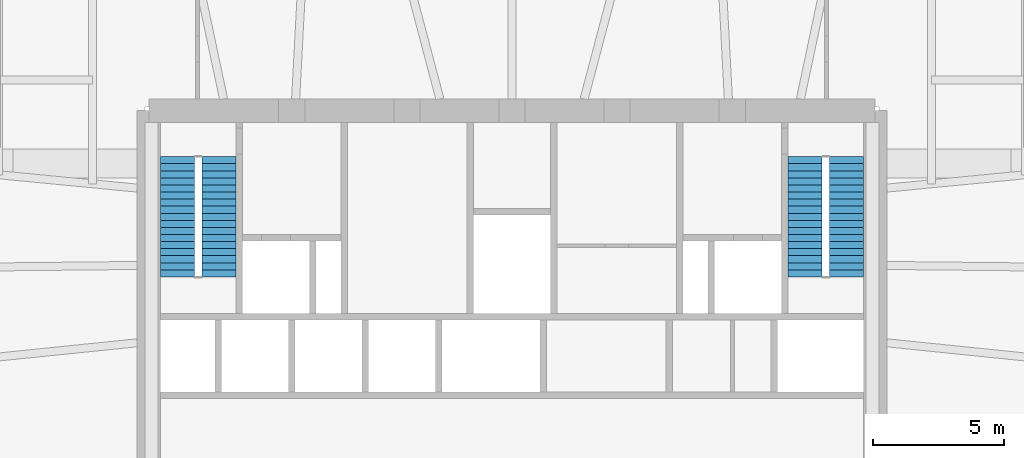
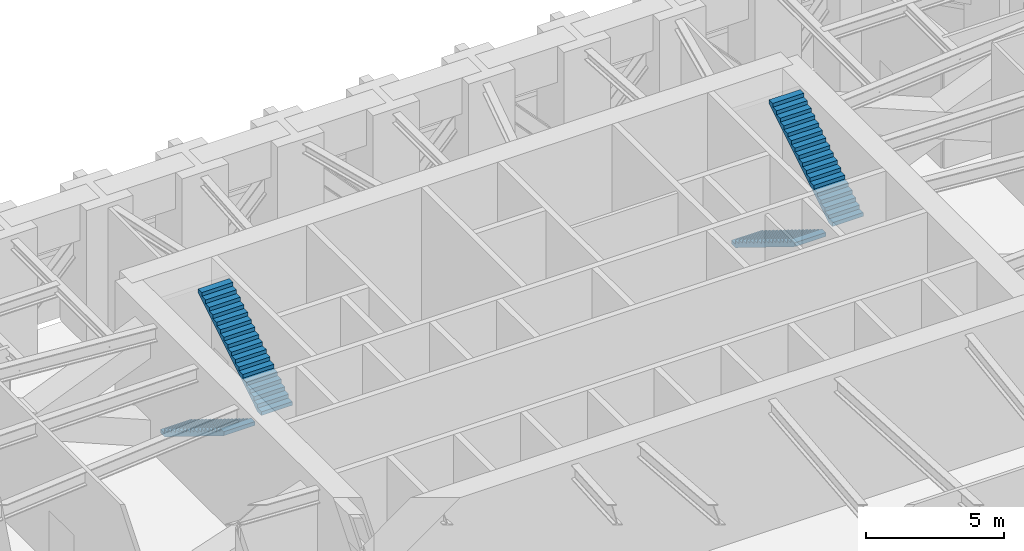
# One storey, part 8 of 9: 4 stair flights, 2 elements without a shape of their own.
"""IFC4 building model written with IfcOpenShell, lengths in metres."""

from ifc_helpers import new_model, si_unit, direction, frame, origin, place, context, subcontext, project, spatial, polyline, outline, extrude, material, type_object, element, aggregate, save


model = new_model("IFC4")

# Units and contexts
model_context = context("Model", 3, precision=1e-05, world=origin(), true_north=direction((0.0, 1.0)))
body_context = subcontext(model_context, "Body", "Model", "MODEL_VIEW")
ifc_project = project(units=[si_unit("LENGTHUNIT", "METRE"), si_unit("AREAUNIT", "SQUARE_METRE"), si_unit("VOLUMEUNIT", "CUBIC_METRE"), si_unit("PLANEANGLEUNIT", "RADIAN"), si_unit("MASSUNIT", "GRAM", prefix="KILO")], contexts=[model_context])

# Site, building, storey
site_placement = place(None, origin())
site = spatial("IfcSite", under=ifc_project, at=site_placement, CompositionType="ELEMENT")
building_placement = place(site_placement, origin())
building = spatial("IfcBuilding", under=site, at=building_placement, Name="Isbrekke Arena Tower", CompositionType="ELEMENT")
storey_placement = place(building_placement, frame((0.0, 0.0, 92.0)))
storey = spatial("IfcBuildingStorey", under=building, at=storey_placement, Name="L20", CompositionType="ELEMENT", Elevation=92.0)

# Stair, stair flights
ifc_material_1 = material(Name="Concrete B45 (C45/55) precast", Category="concrete")
stair_type = type_object("IfcStairType", Name="ST60 STAIR 1300 WIDE, 36 RISERS 167", PredefinedType="HALF_TURN_STAIR", material=ifc_material_1)
stair_1_placement = place(storey_placement, origin())
stair_1 = element("IfcStair", 1, at=stair_1_placement, inside=storey, type_object=stair_type, Name="ST1 stair L20", PredefinedType="HALF_TURN_STAIR")
ifc_material_2 = material(Name="Concrete B45 (C45/55) precast", Category="concrete")
stair_flight_type = type_object("IfcStairFlightType", Name="SF 1300 FLIGHT", PredefinedType="STRAIGHT", material=ifc_material_2)
stair_flight_1_placement = place(storey_placement, frame((-12.75, 22.10009765625, 0.0), z_axis=(0.0, 0.0, 1.0), x_axis=(0.0, -1.0, 0.0)))
stair_flight_1 = element("IfcStairFlight", 2, at=stair_flight_1_placement, type_object=stair_flight_type, Name="ST1 flight 1", NumberOfRisers=18, NumberOfTreads=17, PredefinedType="STRAIGHT", RiserHeight=0.166666667, TreadLength=0.27, context=body_context, shape_type="SweptSolid", body=[
    extrude(outline(polyline([(0.0, 0.0), (0.0, 0.166748046875), (0.27001953125, 0.166748046875), (0.27001953125, 0.333251953125), (0.5400390625, 0.333251953125), (0.5400390625, 0.5), (0.81005859375, 0.5), (0.81005859375, 0.666748046875), (1.080078125, 0.666748046875), (1.080078125, 0.833251953125), (1.35009765625, 0.833251953125), (1.35009765625, 1.0), (1.6201171875, 1.0), (1.6201171875, 1.166748046875), (1.889892578125, 1.166748046875), (1.889892578125, 1.333251953125), (2.159912109375, 1.333251953125), (2.159912109375, 1.5), (2.429931640625, 1.5), (2.429931640625, 1.666748046875), (2.699951171875, 1.666748046875), (2.699951171875, 1.833251953125), (2.969970703125, 1.833251953125), (2.969970703125, 2.0), (3.239990234375, 2.0), (3.239990234375, 2.166748046875), (3.510009765625, 2.166748046875), (3.510009765625, 2.333251953125), (3.780029296875, 2.333251953125), (3.780029296875, 2.5), (4.050048828125, 2.5), (4.050048828125, 2.666748046875), (4.320068359375, 2.666748046875), (4.320068359375, 2.833251953125), (4.590087890625, 2.833251953125), (4.590087890625, 3.0), (4.590087890625, 2.6572265625), (0.285400390625, 0.0), (0.0, 0.0)])), frame((0.0, 0.64990234375, 0.0), z_axis=(0.0, -1.0, 0.0), x_axis=(1.0, 0.0, 0.0)), (0.0, 0.0, 1.0), 1.300048828125),
])
stair_flight_2_placement = place(storey_placement, frame((-11.175048828125, 17.510009765625, 3.0), z_axis=(0.0, 0.0, 1.0), x_axis=(0.0, 1.0, 0.0)))
stair_flight_2 = element("IfcStairFlight", 3, at=stair_flight_2_placement, type_object=stair_flight_type, Name="ST1 flight 2", NumberOfRisers=18, NumberOfTreads=17, PredefinedType="STRAIGHT", RiserHeight=0.166666667, TreadLength=0.27, context=body_context, shape_type="SweptSolid", body=[
    extrude(outline(polyline([(0.0, 0.0), (0.0, 0.166748046875), (0.27001953125, 0.166748046875), (0.27001953125, 0.333251953125), (0.5400390625, 0.333251953125), (0.5400390625, 0.5), (0.81005859375, 0.5), (0.81005859375, 0.666748046875), (1.080078125, 0.666748046875), (1.080078125, 0.833251953125), (1.35009765625, 0.833251953125), (1.35009765625, 1.0), (1.6201171875, 1.0), (1.6201171875, 1.166748046875), (1.889892578125, 1.166748046875), (1.889892578125, 1.333251953125), (2.159912109375, 1.333251953125), (2.159912109375, 1.5), (2.429931640625, 1.5), (2.429931640625, 1.666748046875), (2.699951171875, 1.666748046875), (2.699951171875, 1.833251953125), (2.969970703125, 1.833251953125), (2.969970703125, 2.0), (3.239990234375, 2.0), (3.239990234375, 2.166748046875), (3.510009765625, 2.166748046875), (3.510009765625, 2.333251953125), (3.780029296875, 2.333251953125), (3.780029296875, 2.5), (4.050048828125, 2.5), (4.050048828125, 2.666748046875), (4.320068359375, 2.666748046875), (4.320068359375, 2.833251953125), (4.590087890625, 2.833251953125), (4.590087890625, 3.0), (4.590087890625, 2.6572265625), (0.285400390625, 0.0), (0.0, 0.0)])), frame((0.0, 0.64990234375, 0.0), z_axis=(0.0, -1.0, 0.0), x_axis=(1.0, 0.0, 0.0)), (0.0, 0.0, 1.0), 1.300048828125),
])
aggregate(stair_1, [stair_flight_1, stair_flight_2])

stair_2_placement = place(storey_placement, origin())
stair_2 = element("IfcStair", 4, at=stair_2_placement, inside=storey, type_object=stair_type, Name="ST2 stair L20", PredefinedType="HALF_TURN_STAIR")
stair_flight_3_placement = place(storey_placement, frame((11.175048828125, 22.10009765625, 0.0), z_axis=(0.0, 0.0, 1.0), x_axis=(0.0, -1.0, 0.0)))
stair_flight_3 = element("IfcStairFlight", 5, at=stair_flight_3_placement, type_object=stair_flight_type, Name="ST2 flight 1", NumberOfRisers=18, NumberOfTreads=17, PredefinedType="STRAIGHT", RiserHeight=0.166666667, TreadLength=0.27, context=body_context, shape_type="SweptSolid", body=[
    extrude(outline(polyline([(0.0, 0.0), (0.0, 0.166748046875), (0.27001953125, 0.166748046875), (0.27001953125, 0.333251953125), (0.5400390625, 0.333251953125), (0.5400390625, 0.5), (0.81005859375, 0.5), (0.81005859375, 0.666748046875), (1.080078125, 0.666748046875), (1.080078125, 0.833251953125), (1.35009765625, 0.833251953125), (1.35009765625, 1.0), (1.6201171875, 1.0), (1.6201171875, 1.166748046875), (1.889892578125, 1.166748046875), (1.889892578125, 1.333251953125), (2.159912109375, 1.333251953125), (2.159912109375, 1.5), (2.429931640625, 1.5), (2.429931640625, 1.666748046875), (2.699951171875, 1.666748046875), (2.699951171875, 1.833251953125), (2.969970703125, 1.833251953125), (2.969970703125, 2.0), (3.239990234375, 2.0), (3.239990234375, 2.166748046875), (3.510009765625, 2.166748046875), (3.510009765625, 2.333251953125), (3.780029296875, 2.333251953125), (3.780029296875, 2.5), (4.050048828125, 2.5), (4.050048828125, 2.666748046875), (4.320068359375, 2.666748046875), (4.320068359375, 2.833251953125), (4.590087890625, 2.833251953125), (4.590087890625, 3.0), (4.590087890625, 2.6572265625), (0.285400390625, 0.0), (0.0, 0.0)])), frame((0.0, 0.64990234375, 0.0), z_axis=(0.0, -1.0, 0.0), x_axis=(1.0, 0.0, 0.0)), (0.0, 0.0, 1.0), 1.300048828125),
])
stair_flight_4_placement = place(storey_placement, frame((12.75, 17.510009765625, 3.0), z_axis=(0.0, 0.0, 1.0), x_axis=(0.0, 1.0, 0.0)))
stair_flight_4 = element("IfcStairFlight", 6, at=stair_flight_4_placement, type_object=stair_flight_type, Name="ST2 flight 2", NumberOfRisers=18, NumberOfTreads=17, PredefinedType="STRAIGHT", RiserHeight=0.166666667, TreadLength=0.27, context=body_context, shape_type="SweptSolid", body=[
    extrude(outline(polyline([(0.0, 0.0), (0.0, 0.166748046875), (0.27001953125, 0.166748046875), (0.27001953125, 0.333251953125), (0.5400390625, 0.333251953125), (0.5400390625, 0.5), (0.81005859375, 0.5), (0.81005859375, 0.666748046875), (1.080078125, 0.666748046875), (1.080078125, 0.833251953125), (1.35009765625, 0.833251953125), (1.35009765625, 1.0), (1.6201171875, 1.0), (1.6201171875, 1.166748046875), (1.889892578125, 1.166748046875), (1.889892578125, 1.333251953125), (2.159912109375, 1.333251953125), (2.159912109375, 1.5), (2.429931640625, 1.5), (2.429931640625, 1.666748046875), (2.699951171875, 1.666748046875), (2.699951171875, 1.833251953125), (2.969970703125, 1.833251953125), (2.969970703125, 2.0), (3.239990234375, 2.0), (3.239990234375, 2.166748046875), (3.510009765625, 2.166748046875), (3.510009765625, 2.333251953125), (3.780029296875, 2.333251953125), (3.780029296875, 2.5), (4.050048828125, 2.5), (4.050048828125, 2.666748046875), (4.320068359375, 2.666748046875), (4.320068359375, 2.833251953125), (4.590087890625, 2.833251953125), (4.590087890625, 3.0), (4.590087890625, 2.6572265625), (0.285400390625, 0.0), (0.0, 0.0)])), frame((0.0, 0.64990234375, 0.0), z_axis=(0.0, -1.0, 0.0), x_axis=(1.0, 0.0, 0.0)), (0.0, 0.0, 1.0), 1.300048828125),
])
aggregate(stair_2, [stair_flight_3, stair_flight_4])

save(model, "model.ifc")
